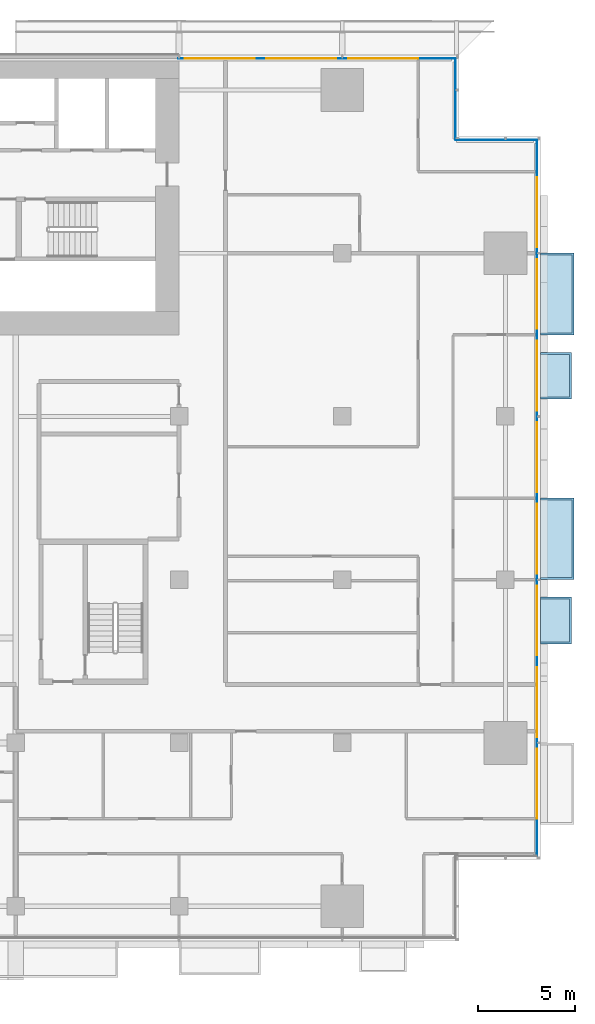
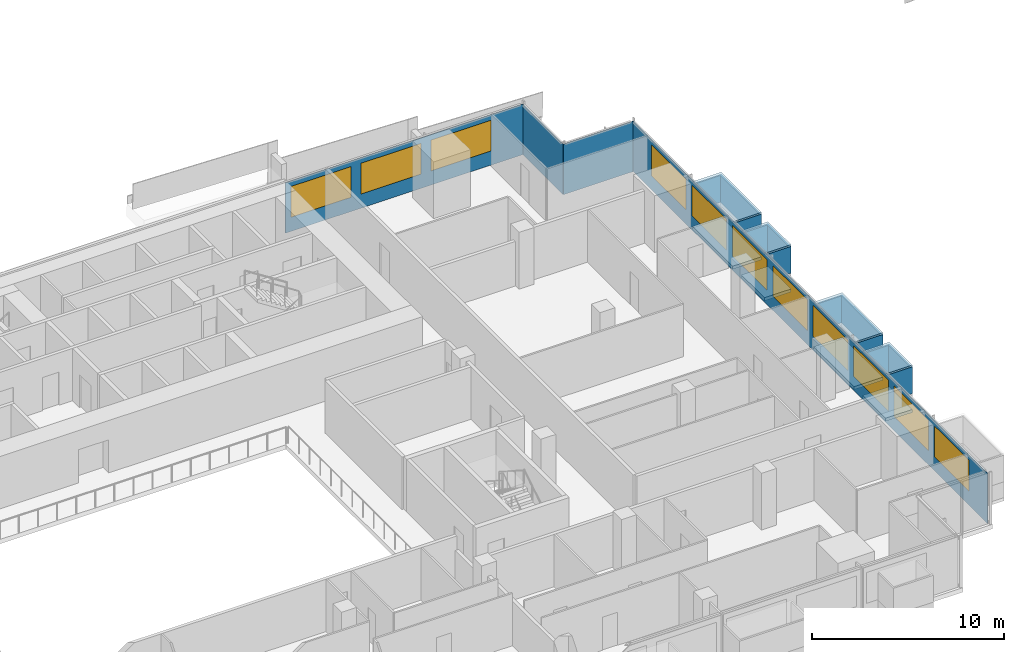
# One storey, part 16 of 30: 12 plates, 11 windows, 4 slabs, 11 openings, 4 elements without a shape of their own.
"""IFC4 building model written with IfcOpenShell, lengths in metres."""

from ifc_helpers import new_model, si_unit, direction, frame, frame_2d, origin, place, context, subcontext, project, spatial, polyline, rectangle, outline, extrude, material, layer, layer_set, type_object, element, fill, aggregate, save


model = new_model("IFC4")

# Units and contexts
model_context = context("Model", 3, precision=1e-05, world=origin(), true_north=direction((0.0, 1.0)))
body_context = subcontext(model_context, "Body", "Model", "MODEL_VIEW")
ifc_project = project(units=[si_unit("LENGTHUNIT", "METRE"), si_unit("AREAUNIT", "SQUARE_METRE"), si_unit("VOLUMEUNIT", "CUBIC_METRE"), si_unit("PLANEANGLEUNIT", "RADIAN"), si_unit("MASSUNIT", "GRAM", prefix="KILO")], contexts=[model_context])

# Site, building, storey
site_placement = place(None, origin())
site = spatial("IfcSite", under=ifc_project, at=site_placement, CompositionType="ELEMENT")
building_placement = place(site_placement, origin())
building = spatial("IfcBuilding", under=site, at=building_placement, Name="Saffron Gate Tower", CompositionType="ELEMENT")
storey_placement = place(building_placement, frame((0.0, 0.0, 37.199951171875)))
storey = spatial("IfcBuildingStorey", under=building, at=storey_placement, Name="L07", CompositionType="ELEMENT", Elevation=37.199951171875)

# Curtain wall, plate, openings, windows
ifc_material_1 = material(Name="Aluminium, bronze anodised", Category="aluminium")
curtain_wall_type_1 = type_object("IfcCurtainWallType", Name="CWS2 curtain wall side facades", PredefinedType="NOTDEFINED", material=ifc_material_1)
curtain_wall_1_placement = place(storey_placement, origin())
curtain_wall_1 = element("IfcCurtainWall", 1, at=curtain_wall_1_placement, inside=storey, type_object=curtain_wall_type_1, Name="CWS2 run 4", PredefinedType="NOTDEFINED")
ifc_material_2 = material(Name="Fritted bronze-tinted laminated glass", Category="glass")
ifc_layer_1 = layer(ifc_material_2, 0.028076171875)
ifc_layer_set_1 = layer_set([ifc_layer_1], Name="CWS2 fixed glass")
plate_type_1 = type_object("IfcPlateType", Name="CWS2 fixed glass", PredefinedType="CURTAIN_PANEL", material=ifc_layer_set_1)
plate_1_placement = place(storey_placement, frame((127.02587890625, 34.387939453125, 0.0), z_axis=(0.0, 0.0, 1.0), x_axis=(0.0, 1.0, 0.0)))
plate_1 = element("IfcPlate", 2, at=plate_1_placement, type_object=plate_type_1, Name="CWS2 glass panel", PredefinedType="CURTAIN_PANEL", context=body_context, shape_type="SweptSolid", body=[
    extrude(rectangle(XDim=36.823974609375, YDim=0.028076171875, at=frame_2d((18.412109375, 0.0))), origin(), (0.0, 0.0, 1.0), 3.199951171875),
])
opening_1_placement = place(plate_1_placement, frame((1.912109375, 0.0, 0.89990234375)))
opening_1 = element("IfcOpeningElement", 3, at=opening_1_placement, cuts=plate_1, Name="Opening W1", PredefinedType="OPENING", context=body_context, shape_type="SweptSolid", body=[
    extrude(rectangle(XDim=3.60009765625, YDim=1.949951171875, at=frame_2d((1.800048828125, 0.97509765625))), frame((0.0, 0.02392578125, 0.0), z_axis=(0.0, -1.0, 0.0), x_axis=(1.0, 0.0, 0.0)), (0.0, 0.0, 1.0), 0.048095703125),
])
opening_2_placement = place(plate_1_placement, frame((6.112060546875, 0.0, 0.89990234375)))
opening_2 = element("IfcOpeningElement", 4, at=opening_2_placement, cuts=plate_1, Name="Opening W1", PredefinedType="OPENING", context=body_context, shape_type="SweptSolid", body=[
    extrude(rectangle(XDim=3.60009765625, YDim=1.949951171875, at=frame_2d((1.800048828125, 0.97509765625))), frame((0.0, 0.02392578125, 0.0), z_axis=(0.0, -1.0, 0.0), x_axis=(1.0, 0.0, 0.0)), (0.0, 0.0, 1.0), 0.048095703125),
])
opening_3_placement = place(plate_1_placement, frame((10.31201171875, 0.0, 0.89990234375)))
opening_3 = element("IfcOpeningElement", 5, at=opening_3_placement, cuts=plate_1, Name="Opening W1", PredefinedType="OPENING", context=body_context, shape_type="SweptSolid", body=[
    extrude(rectangle(XDim=3.60009765625, YDim=1.949951171875, at=frame_2d((1.800048828125, 0.97509765625))), frame((0.0, 0.02392578125, 0.0), z_axis=(0.0, -1.0, 0.0), x_axis=(1.0, 0.0, 0.0)), (0.0, 0.0, 1.0), 0.048095703125),
])
opening_4_placement = place(plate_1_placement, frame((14.511962890625, 0.0, 0.89990234375)))
opening_4 = element("IfcOpeningElement", 6, at=opening_4_placement, cuts=plate_1, Name="Opening W1", PredefinedType="OPENING", context=body_context, shape_type="SweptSolid", body=[
    extrude(rectangle(XDim=3.60009765625, YDim=1.949951171875, at=frame_2d((1.800048828125, 0.97509765625))), frame((0.0, 0.02392578125, 0.0), z_axis=(0.0, -1.0, 0.0), x_axis=(1.0, 0.0, 0.0)), (0.0, 0.0, 1.0), 0.048095703125),
])
opening_5_placement = place(plate_1_placement, frame((18.7119140625, 0.0, 0.89990234375)))
opening_5 = element("IfcOpeningElement", 7, at=opening_5_placement, cuts=plate_1, Name="Opening W1", PredefinedType="OPENING", context=body_context, shape_type="SweptSolid", body=[
    extrude(rectangle(XDim=3.60009765625, YDim=1.949951171875, at=frame_2d((1.800048828125, 0.97509765625))), frame((0.0, 0.02392578125, 0.0), z_axis=(0.0, -1.0, 0.0), x_axis=(1.0, 0.0, 0.0)), (0.0, 0.0, 1.0), 0.048095703125),
])
opening_6_placement = place(plate_1_placement, frame((22.912109375, 0.0, 0.89990234375)))
opening_6 = element("IfcOpeningElement", 8, at=opening_6_placement, cuts=plate_1, Name="Opening W1", PredefinedType="OPENING", context=body_context, shape_type="SweptSolid", body=[
    extrude(rectangle(XDim=3.60009765625, YDim=1.949951171875, at=frame_2d((1.800048828125, 0.97509765625))), frame((0.0, 0.02392578125, 0.0), z_axis=(0.0, -1.0, 0.0), x_axis=(1.0, 0.0, 0.0)), (0.0, 0.0, 1.0), 0.048095703125),
])
opening_7_placement = place(plate_1_placement, frame((27.112060546875, 0.0, 0.89990234375)))
opening_7 = element("IfcOpeningElement", 9, at=opening_7_placement, cuts=plate_1, Name="Opening W1", PredefinedType="OPENING", context=body_context, shape_type="SweptSolid", body=[
    extrude(rectangle(XDim=3.60009765625, YDim=1.949951171875, at=frame_2d((1.800048828125, 0.97509765625))), frame((0.0, 0.02392578125, 0.0), z_axis=(0.0, -1.0, 0.0), x_axis=(1.0, 0.0, 0.0)), (0.0, 0.0, 1.0), 0.048095703125),
])
opening_8_placement = place(plate_1_placement, frame((31.31201171875, 0.0, 0.89990234375)))
opening_8 = element("IfcOpeningElement", 10, at=opening_8_placement, cuts=plate_1, Name="Opening W1", PredefinedType="OPENING", context=body_context, shape_type="SweptSolid", body=[
    extrude(rectangle(XDim=3.60009765625, YDim=1.949951171875, at=frame_2d((1.800048828125, 0.97509765625))), frame((0.0, 0.02392578125, 0.0), z_axis=(0.0, -1.0, 0.0), x_axis=(1.0, 0.0, 0.0)), (0.0, 0.0, 1.0), 0.048095703125),
])
ifc_material_3 = material(Name="Fritted bronze-tinted laminated glass in bronze frame", Category="glass")
ifc_layer_2 = layer(ifc_material_3, 0.06005859375)
ifc_layer_set_2 = layer_set([ifc_layer_2], Name="W1 operable panel 3600x1950")
window_type = type_object("IfcWindowType", Name="W1 operable panel 3600x1950", PartitioningType="DOUBLE_PANEL_HORIZONTAL", PredefinedType="WINDOW", material=ifc_layer_set_2)
window_1_placement = place(opening_1_placement, origin())
window_1 = element("IfcWindow", 11, at=window_1_placement, type_object=window_type, Name="W1 operable panel", OverallHeight=1.949951171875, OverallWidth=3.60009765625, PartitioningType="SINGLE_PANEL", PredefinedType="WINDOW", context=body_context, shape_type="SweptSolid", body=[
    extrude(rectangle(XDim=3.60009765625, YDim=1.949951171875, at=frame_2d((1.800048828125, 0.97509765625))), frame((0.0, 0.013671875, 0.0), z_axis=(0.0, -1.0, 0.0), x_axis=(1.0, 0.0, 0.0)), (0.0, 0.0, 1.0), 0.027587890625),
])
fill(opening_1, window_1)
window_2_placement = place(opening_2_placement, origin())
window_2 = element("IfcWindow", 12, at=window_2_placement, type_object=window_type, Name="W1 operable panel", OverallHeight=1.949951171875, OverallWidth=3.60009765625, PartitioningType="SINGLE_PANEL", PredefinedType="WINDOW", context=body_context, shape_type="SweptSolid", body=[
    extrude(rectangle(XDim=3.60009765625, YDim=1.949951171875, at=frame_2d((1.800048828125, 0.97509765625))), frame((0.0, 0.013671875, 0.0), z_axis=(0.0, -1.0, 0.0), x_axis=(1.0, 0.0, 0.0)), (0.0, 0.0, 1.0), 0.027587890625),
])
fill(opening_2, window_2)
window_3_placement = place(opening_3_placement, origin())
window_3 = element("IfcWindow", 13, at=window_3_placement, type_object=window_type, Name="W1 operable panel", OverallHeight=1.949951171875, OverallWidth=3.60009765625, PartitioningType="SINGLE_PANEL", PredefinedType="WINDOW", context=body_context, shape_type="SweptSolid", body=[
    extrude(rectangle(XDim=3.60009765625, YDim=1.949951171875, at=frame_2d((1.800048828125, 0.97509765625))), frame((0.0, 0.013671875, 0.0), z_axis=(0.0, -1.0, 0.0), x_axis=(1.0, 0.0, 0.0)), (0.0, 0.0, 1.0), 0.027587890625),
])
fill(opening_3, window_3)
window_4_placement = place(opening_4_placement, origin())
window_4 = element("IfcWindow", 14, at=window_4_placement, type_object=window_type, Name="W1 operable panel", OverallHeight=1.949951171875, OverallWidth=3.60009765625, PartitioningType="SINGLE_PANEL", PredefinedType="WINDOW", context=body_context, shape_type="SweptSolid", body=[
    extrude(rectangle(XDim=3.60009765625, YDim=1.949951171875, at=frame_2d((1.800048828125, 0.97509765625))), frame((0.0, 0.013671875, 0.0), z_axis=(0.0, -1.0, 0.0), x_axis=(1.0, 0.0, 0.0)), (0.0, 0.0, 1.0), 0.027587890625),
])
fill(opening_4, window_4)
window_5_placement = place(opening_5_placement, origin())
window_5 = element("IfcWindow", 15, at=window_5_placement, type_object=window_type, Name="W1 operable panel", OverallHeight=1.949951171875, OverallWidth=3.60009765625, PartitioningType="SINGLE_PANEL", PredefinedType="WINDOW", context=body_context, shape_type="SweptSolid", body=[
    extrude(rectangle(XDim=3.60009765625, YDim=1.949951171875, at=frame_2d((1.800048828125, 0.97509765625))), frame((0.0, 0.013671875, 0.0), z_axis=(0.0, -1.0, 0.0), x_axis=(1.0, 0.0, 0.0)), (0.0, 0.0, 1.0), 0.027587890625),
])
fill(opening_5, window_5)
window_6_placement = place(opening_6_placement, origin())
window_6 = element("IfcWindow", 16, at=window_6_placement, type_object=window_type, Name="W1 operable panel", OverallHeight=1.949951171875, OverallWidth=3.60009765625, PartitioningType="SINGLE_PANEL", PredefinedType="WINDOW", context=body_context, shape_type="SweptSolid", body=[
    extrude(rectangle(XDim=3.60009765625, YDim=1.949951171875, at=frame_2d((1.800048828125, 0.97509765625))), frame((0.0, 0.013671875, 0.0), z_axis=(0.0, -1.0, 0.0), x_axis=(1.0, 0.0, 0.0)), (0.0, 0.0, 1.0), 0.027587890625),
])
fill(opening_6, window_6)
window_7_placement = place(opening_7_placement, origin())
window_7 = element("IfcWindow", 17, at=window_7_placement, type_object=window_type, Name="W1 operable panel", OverallHeight=1.949951171875, OverallWidth=3.60009765625, PartitioningType="SINGLE_PANEL", PredefinedType="WINDOW", context=body_context, shape_type="SweptSolid", body=[
    extrude(rectangle(XDim=3.60009765625, YDim=1.949951171875, at=frame_2d((1.800048828125, 0.97509765625))), frame((0.0, 0.013671875, 0.0), z_axis=(0.0, -1.0, 0.0), x_axis=(1.0, 0.0, 0.0)), (0.0, 0.0, 1.0), 0.027587890625),
])
fill(opening_7, window_7)
window_8_placement = place(opening_8_placement, origin())
window_8 = element("IfcWindow", 18, at=window_8_placement, type_object=window_type, Name="W1 operable panel", OverallHeight=1.949951171875, OverallWidth=3.60009765625, PartitioningType="SINGLE_PANEL", PredefinedType="WINDOW", context=body_context, shape_type="SweptSolid", body=[
    extrude(rectangle(XDim=3.60009765625, YDim=1.949951171875, at=frame_2d((1.800048828125, 0.97509765625))), frame((0.0, 0.013671875, 0.0), z_axis=(0.0, -1.0, 0.0), x_axis=(1.0, 0.0, 0.0)), (0.0, 0.0, 1.0), 0.027587890625),
])
fill(opening_8, window_8)
aggregate(curtain_wall_1, [plate_1, window_1, window_2, window_3, window_4, window_5, window_6, window_7, window_8])

curtain_wall_type_2 = type_object("IfcCurtainWallType", Name="CWS3 curtain wall rear facade", PredefinedType="NOTDEFINED", material=ifc_material_1)
curtain_wall_2_placement = place(storey_placement, origin())
curtain_wall_2 = element("IfcCurtainWall", 19, at=curtain_wall_2_placement, inside=storey, type_object=curtain_wall_type_2, Name="CWS3 run 7", PredefinedType="NOTDEFINED")
ifc_material_4 = material(Name="Fritted grey-tinted laminated glass", Category="glass")
ifc_layer_3 = layer(ifc_material_4, 0.028076171875)
ifc_layer_set_3 = layer_set([ifc_layer_3], Name="CWS3 fixed glass")
plate_type_2 = type_object("IfcPlateType", Name="CWS3 fixed glass", PredefinedType="CURTAIN_PANEL", material=ifc_layer_set_3)
plate_2_placement = place(storey_placement, frame((122.81201171875, 75.426025390625, 0.0), z_axis=(0.0, 0.0, 1.0), x_axis=(-1.0, 0.0, 0.0)))
plate_2 = element("IfcPlate", 20, at=plate_2_placement, type_object=plate_type_2, Name="CWS3 glass panel", PredefinedType="CURTAIN_PANEL", context=body_context, shape_type="SweptSolid", body=[
    extrude(rectangle(XDim=14.2470703125, YDim=0.028076171875, at=frame_2d((7.12353515625, 0.0))), origin(), (0.0, 0.0, 1.0), 3.199951171875),
])
opening_9_placement = place(plate_2_placement, frame((1.912109375, 0.0, 0.89990234375)))
opening_9 = element("IfcOpeningElement", 21, at=opening_9_placement, cuts=plate_2, Name="Opening W1", PredefinedType="OPENING", context=body_context, shape_type="SweptSolid", body=[
    extrude(rectangle(XDim=3.60009765625, YDim=1.949951171875, at=frame_2d((1.800048828125, 0.97509765625))), frame((0.0, 0.02392578125, 0.0), z_axis=(0.0, -1.0, 0.0), x_axis=(1.0, 0.0, 0.0)), (0.0, 0.0, 1.0), 0.048095703125),
])
opening_10_placement = place(plate_2_placement, frame((6.112060546875, 0.0, 0.89990234375)))
opening_10 = element("IfcOpeningElement", 22, at=opening_10_placement, cuts=plate_2, Name="Opening W1", PredefinedType="OPENING", context=body_context, shape_type="SweptSolid", body=[
    extrude(rectangle(XDim=3.60009765625, YDim=1.949951171875, at=frame_2d((1.800048828125, 0.97509765625))), frame((0.0, 0.02392578125, 0.0), z_axis=(0.0, -1.0, 0.0), x_axis=(1.0, 0.0, 0.0)), (0.0, 0.0, 1.0), 0.048095703125),
])
opening_11_placement = place(plate_2_placement, frame((10.31201171875, 0.0, 0.89990234375)))
opening_11 = element("IfcOpeningElement", 23, at=opening_11_placement, cuts=plate_2, Name="Opening W1", PredefinedType="OPENING", context=body_context, shape_type="SweptSolid", body=[
    extrude(rectangle(XDim=3.60009765625, YDim=1.949951171875, at=frame_2d((1.800048828125, 0.97509765625))), frame((0.0, 0.02392578125, 0.0), z_axis=(0.0, -1.0, 0.0), x_axis=(1.0, 0.0, 0.0)), (0.0, 0.0, 1.0), 0.048095703125),
])
window_9_placement = place(opening_9_placement, origin())
window_9 = element("IfcWindow", 24, at=window_9_placement, type_object=window_type, Name="W1 operable panel", OverallHeight=1.949951171875, OverallWidth=3.60009765625, PartitioningType="SINGLE_PANEL", PredefinedType="WINDOW", context=body_context, shape_type="SweptSolid", body=[
    extrude(rectangle(XDim=3.60009765625, YDim=1.949951171875, at=frame_2d((1.800048828125, 0.97509765625))), frame((0.0, 0.013671875, 0.0), z_axis=(0.0, -1.0, 0.0), x_axis=(1.0, 0.0, 0.0)), (0.0, 0.0, 1.0), 0.027587890625),
])
fill(opening_9, window_9)
window_10_placement = place(opening_10_placement, origin())
window_10 = element("IfcWindow", 25, at=window_10_placement, type_object=window_type, Name="W1 operable panel", OverallHeight=1.949951171875, OverallWidth=3.60009765625, PartitioningType="SINGLE_PANEL", PredefinedType="WINDOW", context=body_context, shape_type="SweptSolid", body=[
    extrude(rectangle(XDim=3.60009765625, YDim=1.949951171875, at=frame_2d((1.800048828125, 0.97509765625))), frame((0.0, 0.013671875, 0.0), z_axis=(0.0, -1.0, 0.0), x_axis=(1.0, 0.0, 0.0)), (0.0, 0.0, 1.0), 0.027587890625),
])
fill(opening_10, window_10)
window_11_placement = place(opening_11_placement, origin())
window_11 = element("IfcWindow", 26, at=window_11_placement, type_object=window_type, Name="W1 operable panel", OverallHeight=1.949951171875, OverallWidth=3.60009765625, PartitioningType="SINGLE_PANEL", PredefinedType="WINDOW", context=body_context, shape_type="SweptSolid", body=[
    extrude(rectangle(XDim=3.60009765625, YDim=1.949951171875, at=frame_2d((1.800048828125, 0.97509765625))), frame((0.0, 0.013671875, 0.0), z_axis=(0.0, -1.0, 0.0), x_axis=(1.0, 0.0, 0.0)), (0.0, 0.0, 1.0), 0.027587890625),
])
fill(opening_11, window_11)
aggregate(curtain_wall_2, [plate_2, window_9, window_10, window_11])

# Curtain wall, plate
curtain_wall_type_3 = type_object("IfcCurtainWallType", Name="CWS4 curtain wall corner returns", PredefinedType="NOTDEFINED", material=ifc_material_1)
curtain_wall_3_placement = place(storey_placement, origin())
curtain_wall_3 = element("IfcCurtainWall", 27, at=curtain_wall_3_placement, inside=storey, type_object=curtain_wall_type_3, Name="CWS4 run 5", PredefinedType="NOTDEFINED")
ifc_layer_4 = layer(ifc_material_2, 0.028076171875)
ifc_layer_set_4 = layer_set([ifc_layer_4], Name="CWS4 fixed glass")
plate_type_3 = type_object("IfcPlateType", Name="CWS4 fixed glass", PredefinedType="CURTAIN_PANEL", material=ifc_layer_set_4)
plate_3_placement = place(storey_placement, frame((127.011962890625, 71.22607421875, 0.0), z_axis=(0.0, 0.0, 1.0), x_axis=(-1.0, 0.0, 0.0)))
plate_3 = element("IfcPlate", 28, at=plate_3_placement, type_object=plate_type_3, Name="CWS4 glass panel", PredefinedType="CURTAIN_PANEL", context=body_context, shape_type="SweptSolid", body=[
    extrude(rectangle(XDim=4.171875, YDim=0.028076171875, at=frame_2d((2.0859375, 0.0))), origin(), (0.0, 0.0, 1.0), 3.199951171875),
])
aggregate(curtain_wall_3, [plate_3])

curtain_wall_4_placement = place(storey_placement, origin())
curtain_wall_4 = element("IfcCurtainWall", 29, at=curtain_wall_4_placement, inside=storey, type_object=curtain_wall_type_3, Name="CWS4 run 6", PredefinedType="NOTDEFINED")
plate_4_placement = place(storey_placement, frame((122.825927734375, 71.239990234375, 0.0), z_axis=(0.0, 0.0, 1.0), x_axis=(0.0, 1.0, 0.0)))
plate_4 = element("IfcPlate", 30, at=plate_4_placement, type_object=plate_type_3, Name="CWS4 glass panel", PredefinedType="CURTAIN_PANEL", context=body_context, shape_type="SweptSolid", body=[
    extrude(rectangle(XDim=4.172119140625, YDim=0.028076171875, at=frame_2d((2.0859375, 0.0))), origin(), (0.0, 0.0, 1.0), 3.199951171875),
])
aggregate(curtain_wall_4, [plate_4])

# Slabs
ifc_material_5 = material(Name="Timber deck on bronze frame", Category="wood")
ifc_layer_5 = layer(ifc_material_5, 0.199951171875)
ifc_layer_set_5 = layer_set([ifc_layer_5], Name="WB1 box floor")
slab_type = type_object("IfcSlabType", Name="WB1 box floor", PredefinedType="FLOOR", material=ifc_layer_set_5)
slab_1_placement = place(storey_placement, frame((0.0, 0.0, -0.199951171875)))
element("IfcSlab", 31, at=slab_1_placement, inside=storey, type_object=slab_type, Name="WINDOW BOX floor", PredefinedType="FLOOR", context=body_context, shape_type="SweptSolid", body=[
    extrude(outline(polyline([(127.199951171875, 45.300048828125), (127.199951171875, 47.699951171875), (128.800048828125, 47.699951171875), (128.800048828125, 45.300048828125), (127.199951171875, 45.300048828125)])), origin(), (0.0, 0.0, 1.0), 0.199951171875),
])
slab_2_placement = place(storey_placement, frame((0.0, 0.0, -0.199951171875)))
element("IfcSlab", 32, at=slab_2_placement, inside=storey, type_object=slab_type, Name="WINDOW BOX floor", PredefinedType="FLOOR", context=body_context, shape_type="SweptSolid", body=[
    extrude(outline(polyline([(127.199951171875, 48.60009765625), (127.199951171875, 52.800048828125), (128.93310546875, 52.800048828125), (128.93310546875, 48.60009765625), (127.199951171875, 48.60009765625)])), origin(), (0.0, 0.0, 1.0), 0.199951171875),
])
slab_3_placement = place(storey_placement, frame((0.0, 0.0, -0.199951171875)))
element("IfcSlab", 33, at=slab_3_placement, inside=storey, type_object=slab_type, Name="WINDOW BOX floor", PredefinedType="FLOOR", context=body_context, shape_type="SweptSolid", body=[
    extrude(outline(polyline([(127.199951171875, 57.89990234375), (127.199951171875, 60.300048828125), (128.800048828125, 60.300048828125), (128.800048828125, 57.89990234375), (127.199951171875, 57.89990234375)])), origin(), (0.0, 0.0, 1.0), 0.199951171875),
])
slab_4_placement = place(storey_placement, frame((0.0, 0.0, -0.199951171875)))
element("IfcSlab", 34, at=slab_4_placement, inside=storey, type_object=slab_type, Name="WINDOW BOX floor", PredefinedType="FLOOR", context=body_context, shape_type="SweptSolid", body=[
    extrude(outline(polyline([(127.199951171875, 61.199951171875), (127.199951171875, 65.39990234375), (128.93310546875, 65.39990234375), (128.93310546875, 61.199951171875), (127.199951171875, 61.199951171875)])), origin(), (0.0, 0.0, 1.0), 0.199951171875),
])

# Plates
ifc_layer_6 = layer(ifc_material_1, 0.1201171875)
ifc_layer_set_6 = layer_set([ifc_layer_6], Name="WB2 box roof")
plate_type_4 = type_object("IfcPlateType", Name="WB2 box roof", PredefinedType="SHEET", material=ifc_layer_set_6)
plate_5_placement = place(storey_placement, frame((0.0, 0.0, 2.699951171875)))
element("IfcPlate", 35, at=plate_5_placement, inside=storey, type_object=plate_type_4, Name="WINDOW BOX roof", PredefinedType="SHEET", context=body_context, shape_type="SweptSolid", body=[
    extrude(outline(polyline([(127.199951171875, 45.300048828125), (127.199951171875, 47.699951171875), (128.800048828125, 47.699951171875), (128.800048828125, 45.300048828125), (127.199951171875, 45.300048828125)])), origin(), (0.0, 0.0, 1.0), 0.1201171875),
])
plate_6_placement = place(storey_placement, frame((0.0, 0.0, 2.699951171875)))
element("IfcPlate", 36, at=plate_6_placement, inside=storey, type_object=plate_type_4, Name="WINDOW BOX roof", PredefinedType="SHEET", context=body_context, shape_type="SweptSolid", body=[
    extrude(outline(polyline([(127.199951171875, 48.60009765625), (127.199951171875, 52.800048828125), (128.93310546875, 52.800048828125), (128.93310546875, 48.60009765625), (127.199951171875, 48.60009765625)])), origin(), (0.0, 0.0, 1.0), 0.1201171875),
])
plate_7_placement = place(storey_placement, frame((0.0, 0.0, 2.699951171875)))
element("IfcPlate", 37, at=plate_7_placement, inside=storey, type_object=plate_type_4, Name="WINDOW BOX roof", PredefinedType="SHEET", context=body_context, shape_type="SweptSolid", body=[
    extrude(outline(polyline([(127.199951171875, 57.89990234375), (127.199951171875, 60.300048828125), (128.800048828125, 60.300048828125), (128.800048828125, 57.89990234375), (127.199951171875, 57.89990234375)])), origin(), (0.0, 0.0, 1.0), 0.1201171875),
])
plate_8_placement = place(storey_placement, frame((0.0, 0.0, 2.699951171875)))
element("IfcPlate", 38, at=plate_8_placement, inside=storey, type_object=plate_type_4, Name="WINDOW BOX roof", PredefinedType="SHEET", context=body_context, shape_type="SweptSolid", body=[
    extrude(outline(polyline([(127.199951171875, 61.199951171875), (127.199951171875, 65.39990234375), (128.93310546875, 65.39990234375), (128.93310546875, 61.199951171875), (127.199951171875, 61.199951171875)])), origin(), (0.0, 0.0, 1.0), 0.1201171875),
])
ifc_material_6 = material(Name="Clear low-iron laminated glass", Category="glass")
ifc_layer_7 = layer(ifc_material_6, 0.10009765625)
ifc_layer_set_7 = layer_set([ifc_layer_7], Name="WB6 box glazing")
plate_type_5 = type_object("IfcPlateType", Name="WB6 box glazing", PredefinedType="SHEET", material=ifc_layer_set_7)
plate_9_placement = place(storey_placement, frame((0.0, 0.0, 1.0)))
element("IfcPlate", 39, at=plate_9_placement, inside=storey, type_object=plate_type_5, Name="WINDOW BOX glazing", PredefinedType="SHEET", context=body_context, shape_type="SweptSolid", body=[
    extrude(outline(polyline([(127.199951171875, 45.300048828125), (127.199951171875, 45.39990234375), (128.699951171875, 45.39990234375), (128.699951171875, 47.60009765625), (127.199951171875, 47.60009765625), (127.199951171875, 47.699951171875), (128.800048828125, 47.699951171875), (128.800048828125, 45.300048828125), (127.199951171875, 45.300048828125)])), origin(), (0.0, 0.0, 1.0), 1.699951171875),
])
plate_10_placement = place(storey_placement, frame((0.0, 0.0, 1.0)))
element("IfcPlate", 40, at=plate_10_placement, inside=storey, type_object=plate_type_5, Name="WINDOW BOX glazing", PredefinedType="SHEET", context=body_context, shape_type="SweptSolid", body=[
    extrude(outline(polyline([(127.199951171875, 48.60009765625), (127.199951171875, 48.699951171875), (128.8330078125, 48.699951171875), (128.8330078125, 52.699951171875), (127.199951171875, 52.699951171875), (127.199951171875, 52.800048828125), (128.93310546875, 52.800048828125), (128.93310546875, 48.60009765625), (127.199951171875, 48.60009765625)])), origin(), (0.0, 0.0, 1.0), 1.699951171875),
])
plate_11_placement = place(storey_placement, frame((0.0, 0.0, 1.0)))
element("IfcPlate", 41, at=plate_11_placement, inside=storey, type_object=plate_type_5, Name="WINDOW BOX glazing", PredefinedType="SHEET", context=body_context, shape_type="SweptSolid", body=[
    extrude(outline(polyline([(127.199951171875, 57.89990234375), (127.199951171875, 58.0), (128.699951171875, 58.0), (128.699951171875, 60.199951171875), (127.199951171875, 60.199951171875), (127.199951171875, 60.300048828125), (128.800048828125, 60.300048828125), (128.800048828125, 57.89990234375), (127.199951171875, 57.89990234375)])), origin(), (0.0, 0.0, 1.0), 1.699951171875),
])
plate_12_placement = place(storey_placement, frame((0.0, 0.0, 1.0)))
element("IfcPlate", 42, at=plate_12_placement, inside=storey, type_object=plate_type_5, Name="WINDOW BOX glazing", PredefinedType="SHEET", context=body_context, shape_type="SweptSolid", body=[
    extrude(outline(polyline([(127.199951171875, 61.199951171875), (127.199951171875, 61.300048828125), (128.8330078125, 61.300048828125), (128.8330078125, 65.300048828125), (127.199951171875, 65.300048828125), (127.199951171875, 65.39990234375), (128.93310546875, 65.39990234375), (128.93310546875, 61.199951171875), (127.199951171875, 61.199951171875)])), origin(), (0.0, 0.0, 1.0), 1.699951171875),
])

save(model, "model.ifc")
